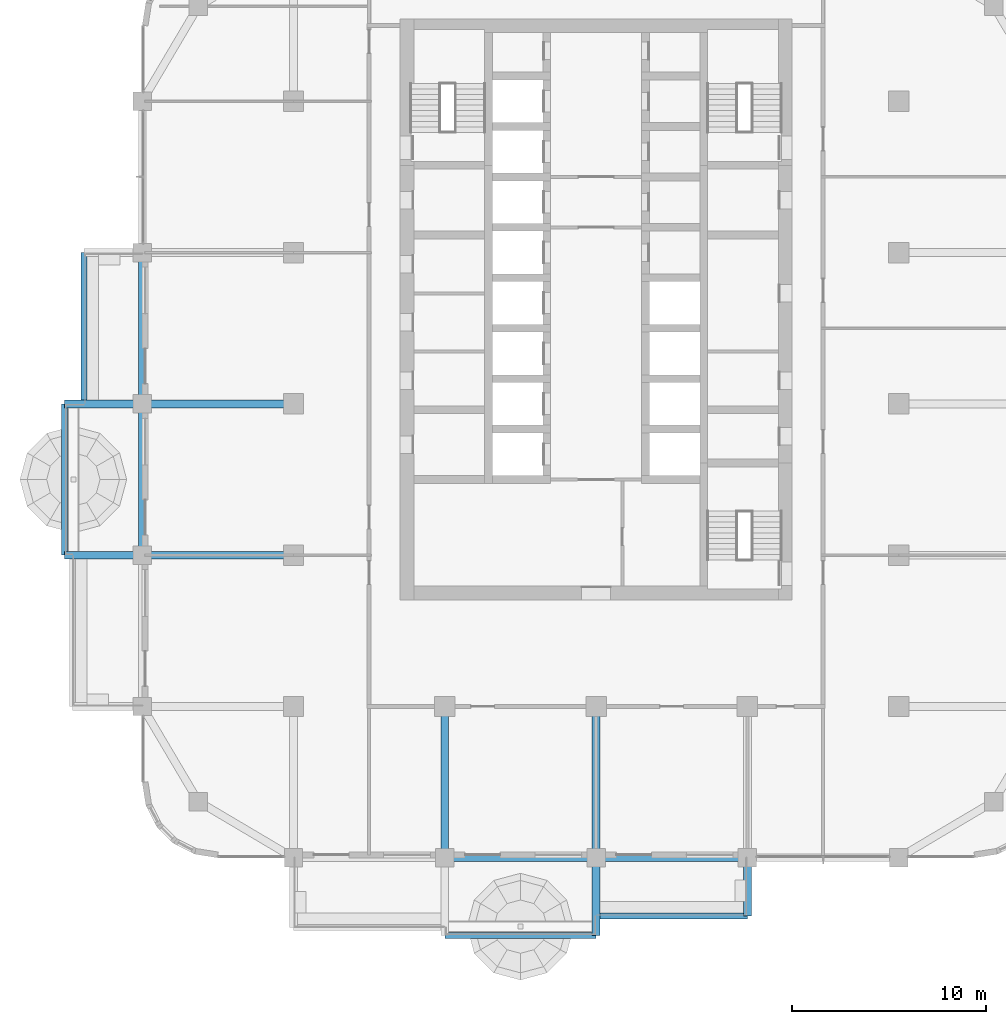
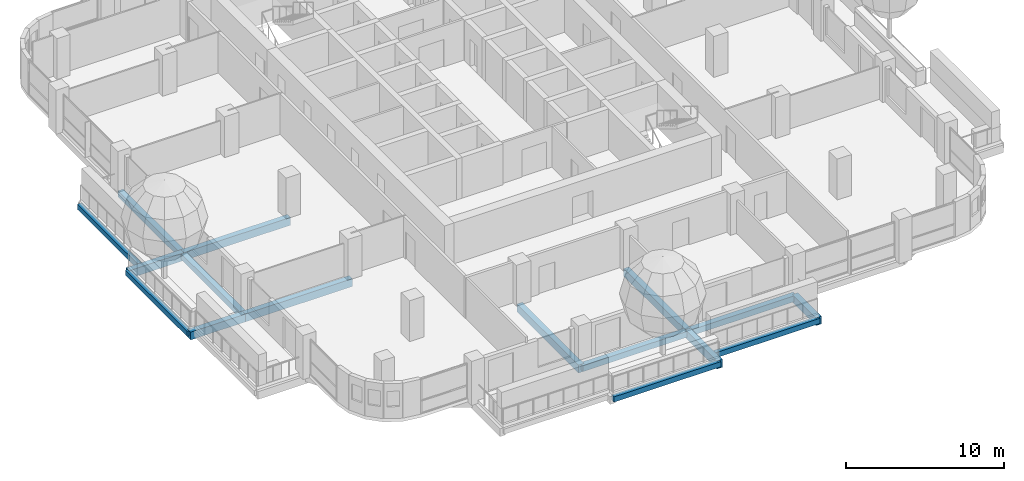
# One storey, part 3 of 21: 16 beams.
"""IFC4 building model written with IfcOpenShell, lengths in metres."""

from ifc_helpers import new_model, si_unit, direction, frame, origin, origin_2d, place, context, subcontext, project, spatial, rectangle, extrude, material, material_profile, profile_set, type_object, element, save


model = new_model("IFC4")

# Units and contexts
model_context = context("Model", 3, precision=1e-05, world=origin(), true_north=direction((0.0, 1.0)))
body_context = subcontext(model_context, "Body", "Model", "MODEL_VIEW")
ifc_project = project(units=[si_unit("LENGTHUNIT", "METRE"), si_unit("AREAUNIT", "SQUARE_METRE"), si_unit("VOLUMEUNIT", "CUBIC_METRE"), si_unit("PLANEANGLEUNIT", "RADIAN"), si_unit("MASSUNIT", "GRAM", prefix="KILO")], contexts=[model_context])

# Site, building, storey
site_placement = place(None, origin())
site = spatial("IfcSite", under=ifc_project, at=site_placement, CompositionType="ELEMENT")
building_placement = place(site_placement, origin())
building = spatial("IfcBuilding", under=site, at=building_placement, Name="Ludao Terraces", CompositionType="ELEMENT")
storey_placement = place(building_placement, frame((0.0, 0.0, 71.60009765625)))
storey = spatial("IfcBuildingStorey", under=building, at=storey_placement, Name="L19", CompositionType="ELEMENT", Elevation=71.60009765625)

# Beams
ifc_material = material(Name="Concrete C40", Category="concrete")
ifc_material_profile_1 = material_profile(ifc_material, rectangle(XDim=0.300048828125, YDim=0.39990234375, at=origin_2d()), Name="300 X 400")
ifc_profile_set_1 = profile_set([ifc_material_profile_1], Name="Concrete C40")
beam_type_1 = type_object("IfcBeamType", Name="RC beam 300x400 C40", PredefinedType="BEAM", material=ifc_profile_set_1)
for number, where, z_axis, x_axis, name in (
    (1, (77.199951171875, 37.60009765625, -0.4501953125), (1.0, 0.0, 0.0), (0.0, 1.0, 0.0), "Balcony edge beam L19 S2"),
    (2, (85.0, 38.60009765625, -0.4501953125), (1.0, 0.0, 0.0), (0.0, 1.0, 0.0), "Balcony edge beam L19 S3"),
    (3, (57.60009765625, 57.199951171875, -0.4501953125), (0.0, 1.0, 0.0), (-1.0, 0.0, 0.0), "Balcony edge beam L19 W2"),
    (4, (58.60009765625, 65.0, -0.4501953125), (0.0, 1.0, 0.0), (-1.0, 0.0, 0.0), "Balcony edge beam L19 W3"),
):
    element("IfcBeam", number, at=place(storey_placement, frame(where, z_axis=z_axis, x_axis=x_axis)), inside=storey, type_object=beam_type_1, Name=name, PredefinedType="BEAM", context=body_context, shape_type="SweptSolid", body=[
        extrude(rectangle(XDim=0.300048828125, YDim=0.39990234375, at=origin_2d()), origin(), (0.0, 0.0, 1.0), 7.800048828125),
    ])
ifc_material_profile_2 = material_profile(ifc_material, rectangle(XDim=0.39990234375, YDim=0.449951171875, at=origin_2d()), Name="400 X 450")
ifc_profile_set_2 = profile_set([ifc_material_profile_2], Name="Concrete C40")
beam_type_2 = type_object("IfcBeamType", Name="RC beam 400x450 C40", PredefinedType="BEAM", material=ifc_profile_set_2)
for number, where, z_axis, x_axis, name in (
    (5, (77.199951171875, 41.60009765625, -0.47509765625), (1.0, 0.0, 0.0), (0.0, 1.0, 0.0), "Spandrel beam L19 S3"),
    (6, (85.0, 41.60009765625, -0.47509765625), (1.0, 0.0, 0.0), (0.0, 1.0, 0.0), "Spandrel beam L19 S4"),
    (7, (61.60009765625, 57.199951171875, -0.47509765625), (0.0, 1.0, 0.0), (-1.0, 0.0, 0.0), "Spandrel beam L19 W15"),
    (8, (61.60009765625, 65.0, -0.47509765625), (0.0, 1.0, 0.0), (-1.0, 0.0, 0.0), "Spandrel beam L19 W16"),
):
    element("IfcBeam", number, at=place(storey_placement, frame(where, z_axis=z_axis, x_axis=x_axis)), inside=storey, type_object=beam_type_2, Name=name, PredefinedType="BEAM", context=body_context, shape_type="SweptSolid", body=[
        extrude(rectangle(XDim=0.39990234375, YDim=0.449951171875, at=origin_2d()), origin(), (0.0, 0.0, 1.0), 7.800048828125),
    ])
ifc_material_profile_3 = material_profile(ifc_material, rectangle(XDim=0.39990234375, YDim=0.60009765625, at=origin_2d()), Name="400 X 600")
ifc_profile_set_3 = profile_set([ifc_material_profile_3], Name="Concrete C40")
beam_type_3 = type_object("IfcBeamType", Name="RC beam 400x600 C40", PredefinedType="BEAM", material=ifc_profile_set_3)
for number, where, z_axis, x_axis, name in (
    (9, (77.199951171875, 49.39990234375, -0.550048828125), (0.0, -1.0, 0.0), (1.0, 0.0, 0.0), "Balcony beam L19 S772"),
    (10, (85.0, 49.39990234375, -0.550048828125), (0.0, -1.0, 0.0), (1.0, 0.0, 0.0), "Balcony beam L19 S850"),
):
    element("IfcBeam", number, at=place(storey_placement, frame(where, z_axis=z_axis, x_axis=x_axis)), inside=storey, type_object=beam_type_3, Name=name, PredefinedType="BEAM", context=body_context, shape_type="SweptSolid", body=[
        extrude(rectangle(XDim=0.39990234375, YDim=0.60009765625, at=origin_2d()), origin(), (0.0, 0.0, 1.0), 7.7998046875),
    ])
beam_1_placement = place(storey_placement, frame((85.0, 41.60009765625, -0.550048828125), z_axis=(0.0, -1.0, 0.0), x_axis=(1.0, 0.0, 0.0)))
element("IfcBeam", 11, at=beam_1_placement, inside=storey, type_object=beam_type_3, Name="Balcony beam L19 S850", PredefinedType="BEAM", context=body_context, shape_type="SweptSolid", body=[
    extrude(rectangle(XDim=0.39990234375, YDim=0.60009765625, at=origin_2d()), origin(), (0.0, 0.0, 1.0), 4.0),
])
beam_2_placement = place(storey_placement, frame((92.800048828125, 41.60009765625, -0.550048828125), z_axis=(0.0, -1.0, 0.0), x_axis=(1.0, 0.0, 0.0)))
element("IfcBeam", 12, at=beam_2_placement, inside=storey, type_object=beam_type_3, Name="Balcony beam L19 S928", PredefinedType="BEAM", context=body_context, shape_type="SweptSolid", body=[
    extrude(rectangle(XDim=0.39990234375, YDim=0.60009765625, at=origin_2d()), origin(), (0.0, 0.0, 1.0), 3.0),
])
beam_3_placement = place(storey_placement, frame((69.39990234375, 57.199951171875, -0.550048828125), z_axis=(-1.0, 0.0, 0.0), x_axis=(0.0, -1.0, 0.0)))
element("IfcBeam", 13, at=beam_3_placement, inside=storey, type_object=beam_type_3, Name="Balcony beam L19 W572", PredefinedType="BEAM", context=body_context, shape_type="SweptSolid", body=[
    extrude(rectangle(XDim=0.39990234375, YDim=0.60009765625, at=origin_2d()), origin(), (0.0, 0.0, 1.0), 7.7998046875),
])
beam_4_placement = place(storey_placement, frame((61.60009765625, 57.199951171875, -0.550048828125), z_axis=(-1.0, 0.0, 0.0), x_axis=(0.0, -1.0, 0.0)))
element("IfcBeam", 14, at=beam_4_placement, inside=storey, type_object=beam_type_3, Name="Balcony beam L19 W572", PredefinedType="BEAM", context=body_context, shape_type="SweptSolid", body=[
    extrude(rectangle(XDim=0.39990234375, YDim=0.60009765625, at=origin_2d()), origin(), (0.0, 0.0, 1.0), 4.0),
])
beam_5_placement = place(storey_placement, frame((69.39990234375, 65.0, -0.550048828125), z_axis=(-1.0, 0.0, 0.0), x_axis=(0.0, -1.0, 0.0)))
element("IfcBeam", 15, at=beam_5_placement, inside=storey, type_object=beam_type_3, Name="Balcony beam L19 W650", PredefinedType="BEAM", context=body_context, shape_type="SweptSolid", body=[
    extrude(rectangle(XDim=0.39990234375, YDim=0.60009765625, at=origin_2d()), origin(), (0.0, 0.0, 1.0), 7.7998046875),
])
beam_6_placement = place(storey_placement, frame((61.60009765625, 65.0, -0.550048828125), z_axis=(-1.0, 0.0, 0.0), x_axis=(0.0, -1.0, 0.0)))
element("IfcBeam", 16, at=beam_6_placement, inside=storey, type_object=beam_type_3, Name="Balcony beam L19 W650", PredefinedType="BEAM", context=body_context, shape_type="SweptSolid", body=[
    extrude(rectangle(XDim=0.39990234375, YDim=0.60009765625, at=origin_2d()), origin(), (0.0, 0.0, 1.0), 4.0),
])

save(model, "model.ifc")
